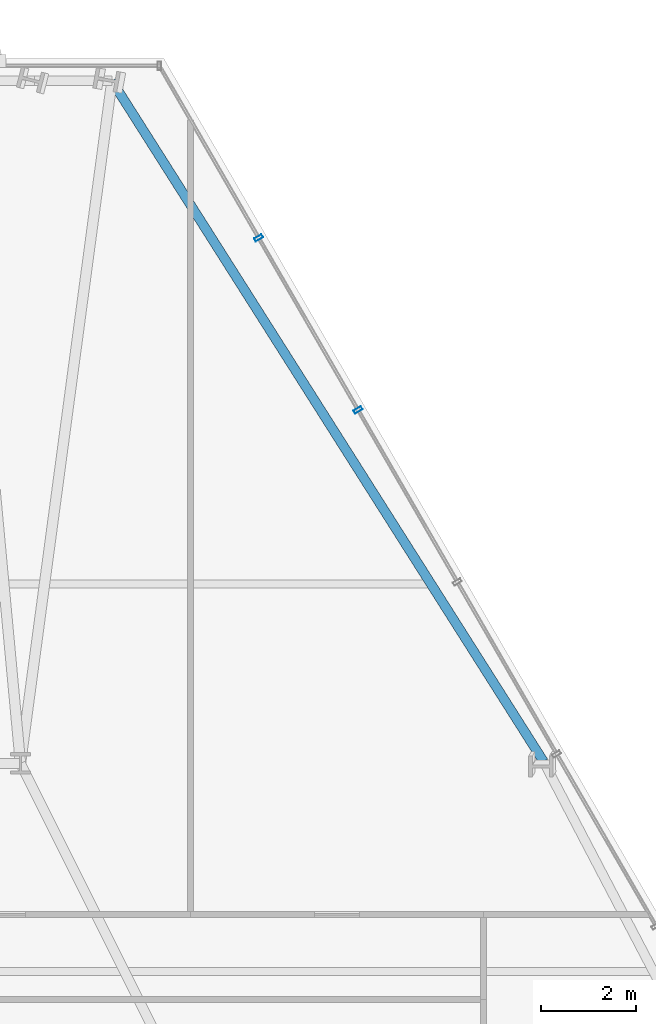
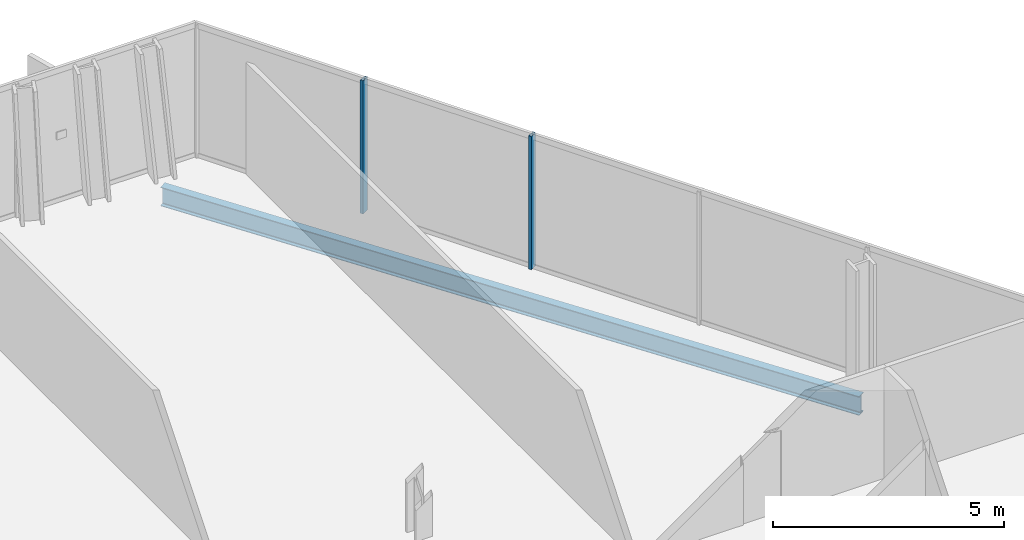
# One storey, part 23 of 31: 2 members, 1 beam, 1 element without a shape of its own.
"""IFC4 building model written with IfcOpenShell, lengths in metres."""

from ifc_helpers import new_model, si_unit, direction, frame, origin, origin_2d, place, context, subcontext, project, spatial, hollow_rectangle, i_section, extrude, material, layer, layer_set, material_profile, profile_set, type_object, element, aggregate, save


model = new_model("IFC4")

# Units and contexts
model_context = context("Model", 3, precision=1e-05, world=origin(), true_north=direction((0.0, 1.0)))
body_context = subcontext(model_context, "Body", "Model", "MODEL_VIEW")
ifc_project = project(units=[si_unit("LENGTHUNIT", "METRE"), si_unit("AREAUNIT", "SQUARE_METRE"), si_unit("VOLUMEUNIT", "CUBIC_METRE"), si_unit("PLANEANGLEUNIT", "RADIAN"), si_unit("MASSUNIT", "GRAM", prefix="KILO")], contexts=[model_context])

# Site, building, storey
site_placement = place(None, origin())
site = spatial("IfcSite", under=ifc_project, at=site_placement, CompositionType="ELEMENT")
building_placement = place(site_placement, origin())
building = spatial("IfcBuilding", under=site, at=building_placement, Name="Ndaravel Arena Tower", CompositionType="ELEMENT")
storey_placement = place(building_placement, frame((0.0, 0.0, 108.199951171875)))
storey = spatial("IfcBuildingStorey", under=building, at=storey_placement, Name="L25", CompositionType="ELEMENT", Elevation=108.199951171875)

# Beam
ifc_material_1 = material(Name="Steel S355", Category="steel")
ifc_material_profile_1 = material_profile(ifc_material_1, i_section(OverallWidth=0.199951171875, OverallDepth=0.5, WebThickness=0.01025390625, FlangeThickness=0.01611328125, FilletRadius=0.02099609375, at=origin_2d()), Name="IPE 500")
ifc_profile_set_1 = profile_set([ifc_material_profile_1], Name="Steel S355")
beam_type = type_object("IfcBeamType", Name="BM-SPAN-IPE500", PredefinedType="SPANDREL", material=ifc_profile_set_1)
beam_placement = place(storey_placement, frame((56.87109375, 31.23779296875, -0.469970703125), z_axis=(-0.535583851753, 0.844482052942, 0.0), x_axis=(-0.844482052942, -0.535583851753, 0.0)))
element("IfcBeam", 1, at=beam_placement, inside=storey, type_object=beam_type, Name="L25 Perimeter Spandrel Beam SP-10", PredefinedType="SPANDREL", context=body_context, shape_type="SweptSolid", body=[
    extrude(i_section(OverallWidth=0.199951171875, OverallDepth=0.5, WebThickness=0.01025390625, FlangeThickness=0.01611328125, FilletRadius=0.02099609375, at=origin_2d()), origin(), (0.0, 0.0, 1.0), 17.0576171875),
])

# Curtain wall, members
ifc_material_2 = material(Name="Aluminium", Category="aluminium")
ifc_layer = layer(ifc_material_2, 0.179931640625)
ifc_layer_set = layer_set([ifc_layer], Name="Aluminium")
curtain_wall_type = type_object("IfcCurtainWallType", Name="CW-SYS-03", PredefinedType="NOTDEFINED", material=ifc_layer_set)
curtain_wall_placement = place(storey_placement, origin())
curtain_wall = element("IfcCurtainWall", 2, at=curtain_wall_placement, inside=storey, type_object=curtain_wall_type, Name="L25 Faceted Crystal Curtain Wall CW-L25-E03", PredefinedType="NOTDEFINED")
ifc_material_3 = material(Name="Aluminium", Category="aluminium")
ifc_material_profile_2 = material_profile(ifc_material_3, hollow_rectangle(XDim=0.074951171875, YDim=0.179931640625, WallThickness=0.00390625, at=origin_2d()), Name="CW MULLION 75x180x4")
ifc_profile_set_2 = profile_set([ifc_material_profile_2], Name="Aluminium")
member_type = type_object("IfcMemberType", Name="MEM-CW-MUL180", PredefinedType="MULLION", material=ifc_profile_set_2)
member_1_placement = place(storey_placement, frame((52.94384765625, 38.68017578125, 0.0), z_axis=(0.0, 0.0, 1.0), x_axis=(-0.5, 0.866025403784, 0.0)))
member_1 = element("IfcMember", 3, at=member_1_placement, type_object=member_type, Name="CW-L25-E03 Mullion 06", PredefinedType="MULLION", context=body_context, shape_type="SweptSolid", body=[
    extrude(hollow_rectangle(XDim=0.074951171875, YDim=0.179931640625, WallThickness=0.00390625, at=origin_2d()), origin(), (0.0, 0.0, 1.0), 3.52001953125),
])
member_2_placement = place(storey_placement, frame((50.841552734375, 42.3212890625, 0.0), z_axis=(0.0, 0.0, 1.0), x_axis=(-0.5, 0.866025403784, 0.0)))
member_2 = element("IfcMember", 4, at=member_2_placement, type_object=member_type, Name="CW-L25-E03 Mullion 07", PredefinedType="MULLION", context=body_context, shape_type="SweptSolid", body=[
    extrude(hollow_rectangle(XDim=0.074951171875, YDim=0.179931640625, WallThickness=0.00390625, at=origin_2d()), origin(), (0.0, 0.0, 1.0), 3.52001953125),
])
aggregate(curtain_wall, [member_1, member_2])

save(model, "model.ifc")
